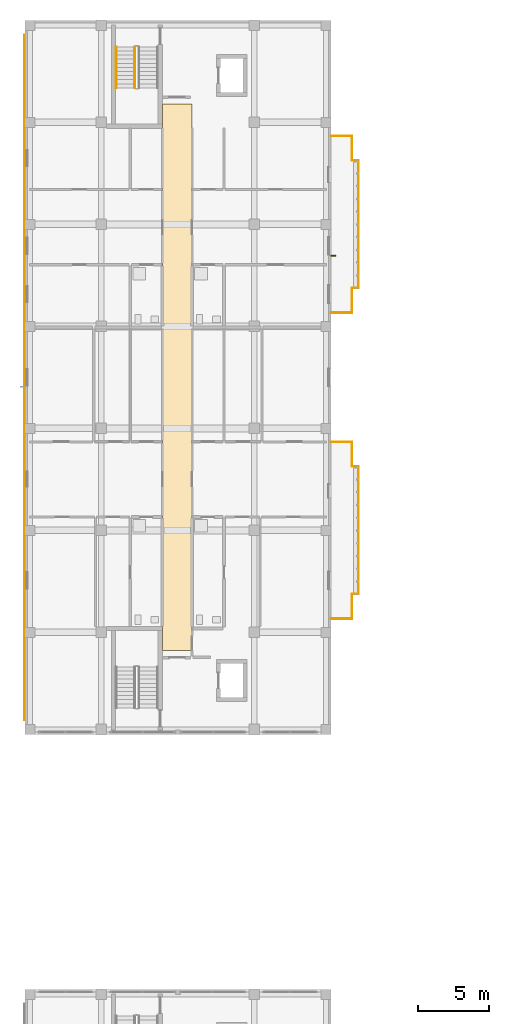
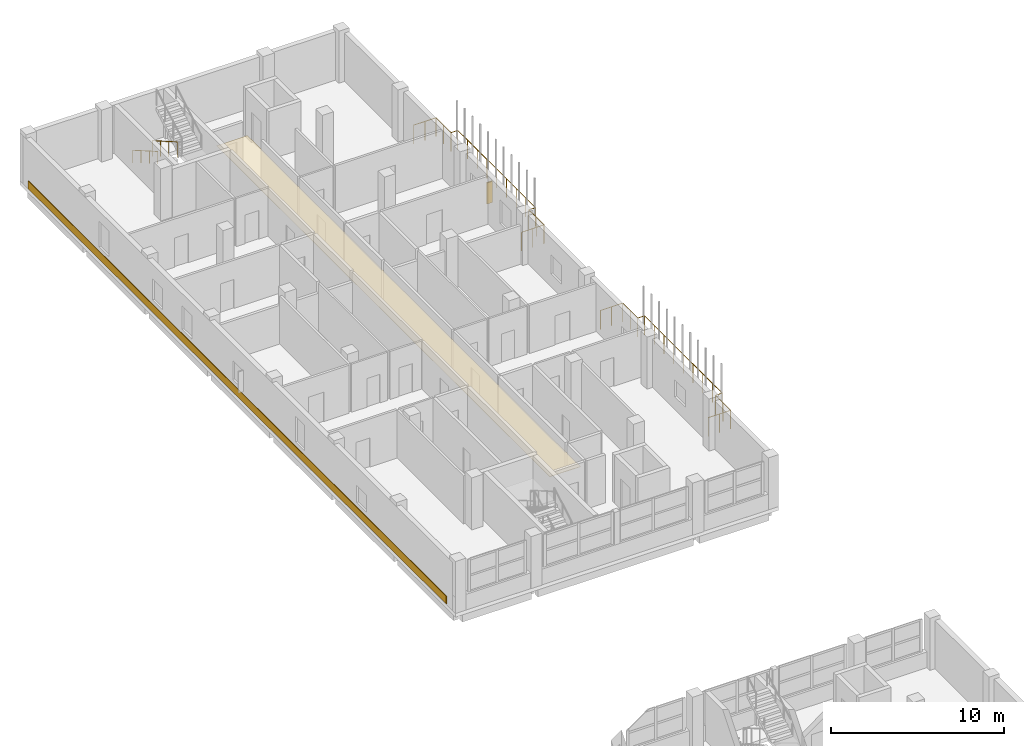
# One storey, part 64 of 73: 4 railings, 2 coverings, 1 shading device.
"""IFC4 building model written with IfcOpenShell, lengths in metres."""

import ifcopenshell
import ifcopenshell.guid

model = None  # the IFC model being written
_history = None  # IfcOwnerHistory: only IFC2X3 demands one
_inside = {}  # id of a spatial element -> (the spatial element, [elements in it])
_under = {}  # id of a project, library or spatial element -> (it, [spatial elements below it])
_declared = {}  # id of a project -> (the project, [libraries it declares])
_typed = {}  # id of a type object -> (the type object, [elements of that type])
_made_of = {}  # id of a material, layer set ... -> (it, [elements and type objects made of it])


def new_model(schema):
    """Start an empty IFC model of exactly this schema.

    Asked for "IFC4X3", IfcOpenShell would pick the latest addendum, in which some entities
    have other attributes; the version numbers below select the first issue.
    IFC2X3 requires an IfcOwnerHistory on every rooted entity: one is made here for all.
    """
    global model, _history
    if schema == "IFC4X3":
        model = ifcopenshell.file(schema_version=(4, 3, 0, 0))
    else:
        model = ifcopenshell.file(schema=schema)
    _inside.clear()
    _under.clear()
    _declared.clear()
    _typed.clear()
    _made_of.clear()
    _history = None
    if model.schema == "IFC2X3":
        org = make("IfcOrganization", Name="unknown")
        user = make(
            "IfcPersonAndOrganization",
            ThePerson=make("IfcPerson", FamilyName="unknown"),
            TheOrganization=org,
        )
        app = make(
            "IfcApplication",
            ApplicationDeveloper=org,
            Version="unknown",
            ApplicationFullName="unknown",
            ApplicationIdentifier="unknown",
        )
        _history = make(
            "IfcOwnerHistory",
            OwningUser=user,
            OwningApplication=app,
            ChangeAction="ADDED",
            CreationDate=0,
        )
    return model


def make(cls, **values):
    """One entity of the class cls with the attributes given. An attribute that is None is left unset."""
    return model.create_entity(
        cls, **{name: value for name, value in values.items() if value is not None}
    )


def rooted(cls, **values):
    """An entity with a GlobalId (a new one), such as an element, a storey or a relation."""
    return make(cls, GlobalId=ifcopenshell.guid.new(), OwnerHistory=_history, **values)


def si_unit(unit_type, name, prefix=None):
    """IfcSIUnit, for example si_unit("LENGTHUNIT", "METRE", prefix="MILLI")."""
    return make("IfcSIUnit", UnitType=unit_type, Prefix=prefix, Name=name)


def derived_unit(unit_type, elements):
    """IfcDerivedUnit: a product of units, each with its exponent."""
    return make(
        "IfcDerivedUnit",
        Elements=[
            make("IfcDerivedUnitElement", Unit=unit, Exponent=power)
            for unit, power in elements
        ],
        UnitType=unit_type,
    )


def assignment(units):
    """IfcUnitAssignment: the units of a project."""
    return None if units is None else make("IfcUnitAssignment", Units=units)


def point(xyz):
    """IfcCartesianPoint."""
    return None if xyz is None else make("IfcCartesianPoint", Coordinates=xyz)


def direction(xyz):
    """IfcDirection."""
    return None if xyz is None else make("IfcDirection", DirectionRatios=xyz)


def frame(location, z_axis=None, x_axis=None):
    """IfcAxis2Placement3D, a coordinate frame: its origin and axes. An axis left out is left unset."""
    return make(
        "IfcAxis2Placement3D",
        Location=point(location),
        Axis=direction(z_axis),
        RefDirection=direction(x_axis),
    )


def frame_2d(location, x_axis=None):
    """IfcAxis2Placement2D, a coordinate frame in the plane: its origin and x axis."""
    return make(
        "IfcAxis2Placement2D", Location=point(location), RefDirection=direction(x_axis)
    )


def origin():
    """The frame at (0, 0, 0) with its axes left unset."""
    return frame((0.0, 0.0, 0.0))


def origin_2d():
    """The frame at (0, 0) in the plane with its x axis left unset."""
    return frame_2d((0.0, 0.0))


def place(relative_to, where):
    """IfcLocalPlacement: puts the frame where relative to a parent placement (None: the world)."""
    return make(
        "IfcLocalPlacement", PlacementRelTo=relative_to, RelativePlacement=where
    )


def context(
    kind, dimensions, precision=None, world=None, true_north=None, identifier=None
):
    """IfcGeometricRepresentationContext, for example the 3D "Model" context."""
    return make(
        "IfcGeometricRepresentationContext",
        ContextIdentifier=identifier,
        ContextType=kind,
        CoordinateSpaceDimension=dimensions,
        Precision=precision,
        WorldCoordinateSystem=world,
        TrueNorth=true_north,
    )


def subcontext(parent, identifier, kind, view, scale=None):
    """IfcGeometricRepresentationSubContext, for example "Body" below "Model"."""
    return make(
        "IfcGeometricRepresentationSubContext",
        ContextIdentifier=identifier,
        ContextType=kind,
        ParentContext=parent,
        TargetScale=scale,
        TargetView=view,
    )


def project(units=None, contexts=None):
    """IfcProject with its units and contexts."""
    return rooted(
        "IfcProject",
        Name="project",
        RepresentationContexts=contexts,
        UnitsInContext=assignment(units),
    )


def spatial(cls, under=None, at=None, **own):
    """A site, building, storey or space (cls), placed at a placement, below another one or the project."""
    s = rooted(cls, ObjectPlacement=at, **own)
    if under is not None:
        _under.setdefault(under.id(), (under, []))[1].append(s)
    return s


def polyline(points):
    """IfcPolyline through the points."""
    return make("IfcPolyline", Points=[point(p) for p in points])


def profile(cls, at=None, kind="AREA", **sizes):
    """A parametric profile (cls). Its sizes go by their IFC names, for example OverallWidth=200.0."""
    return make(cls, ProfileType=kind, Position=at, **sizes)


def rectangle(**sizes):
    """IfcRectangleProfileDef."""
    return profile("IfcRectangleProfileDef", **sizes)


def circle(**sizes):
    """IfcCircleProfileDef."""
    return profile("IfcCircleProfileDef", **sizes)


def outline(outer, holes=None, kind="AREA"):
    """IfcArbitraryClosedProfileDef: a profile drawn as a closed curve; with holes, ...WithVoids."""
    if holes is None:
        return make("IfcArbitraryClosedProfileDef", ProfileType=kind, OuterCurve=outer)
    return make(
        "IfcArbitraryProfileDefWithVoids",
        ProfileType=kind,
        OuterCurve=outer,
        InnerCurves=holes,
    )


def extrude(swept, where, along, depth):
    """IfcExtrudedAreaSolid: the profile swept, set in the frame where, extruded along a direction by depth."""
    return make(
        "IfcExtrudedAreaSolid",
        SweptArea=swept,
        Position=where,
        ExtrudedDirection=direction(along),
        Depth=depth,
    )


def shape(context_of_items, identifier, shape_type, items):
    """IfcShapeRepresentation: the items that make up one representation, for example the "Body"."""
    return make(
        "IfcShapeRepresentation",
        ContextOfItems=context_of_items,
        RepresentationIdentifier=identifier,
        RepresentationType=shape_type,
        Items=items,
    )


def material(Name=None, Category=None):
    """IfcMaterial."""
    return make("IfcMaterial", Name=Name, Category=Category)


def layer(
    of_material, thickness, ventilated=None, Name=None, Category=None, Priority=None
):
    """IfcMaterialLayer: one layer of a wall or slab, of a material (None: an air gap)."""
    return make(
        "IfcMaterialLayer",
        Material=of_material,
        LayerThickness=thickness,
        IsVentilated=ventilated,
        Name=Name,
        Category=Category,
        Priority=Priority,
    )


def layer_set(layers, Name=None):
    """IfcMaterialLayerSet."""
    return make("IfcMaterialLayerSet", MaterialLayers=layers, LayerSetName=Name)


def made_of(thing, what):
    """Note that an element or type object is made of a material, layer set ...; save() writes the relation."""
    if what is not None:
        _made_of.setdefault(what.id(), (what, []))[1].append(thing)
    return thing


def type_object(cls, material=None, **own):
    """A type object (cls), such as IfcWallType, which elements share."""
    return made_of(rooted(cls, **own), material)


def element(
    cls,
    number,
    at=None,
    inside=None,
    cuts=None,
    type_object=None,
    material=None,
    context=None,
    identifier="Body",
    shape_type=None,
    held_by="IfcProductDefinitionShape",
    body=None,
    shapes=None,
    **own,
):
    """One element of the class cls, such as IfcWall. Its Tag is "e" and its number.

    at: its placement. inside: the storey or other place that contains it. cuts: it is an
    opening in that element (IfcRelVoidsElement). A single representation is given by context,
    identifier, shape_type and body (its items); several are given by shapes. held_by: the class
    of the entity that holds the representations. save() writes the other relations.
    """
    e = rooted(cls, Tag="e%d" % number, ObjectPlacement=at, **own)
    if body is not None:
        shapes = [shape(context, identifier, shape_type, body)]
    if shapes is not None:
        e.Representation = make(held_by, Representations=shapes)
    if inside is not None:
        _inside.setdefault(inside.id(), (inside, []))[1].append(e)
    if cuts is not None:
        rooted(
            "IfcRelVoidsElement", RelatingBuildingElement=cuts, RelatedOpeningElement=e
        )
    if type_object is not None:
        _typed.setdefault(type_object.id(), (type_object, []))[1].append(e)
    return made_of(e, material)


def aggregate(whole, parts):
    """IfcRelAggregates: a whole, such as a stair, and the parts it consists of."""
    return rooted("IfcRelAggregates", RelatingObject=whole, RelatedObjects=parts)


def save(model, path):
    """Write the relations noted so far, then the file.

    IfcRelAggregates (storeys below a building ...), IfcRelContainedInSpatialStructure (elements
    in a storey), IfcRelDefinesByType, IfcRelAssociatesMaterial and IfcRelDeclares: one each for
    every whole, place, type object, material and project.
    """
    for whole, parts in _under.values():
        aggregate(whole, parts)
    for where, things in _inside.values():
        rooted(
            "IfcRelContainedInSpatialStructure",
            RelatedElements=things,
            RelatingStructure=where,
        )
    for kind, things in _typed.values():
        rooted("IfcRelDefinesByType", RelatedObjects=things, RelatingType=kind)
    for what, things in _made_of.values():
        rooted("IfcRelAssociatesMaterial", RelatedObjects=things, RelatingMaterial=what)
    for by, libraries in _declared.values():
        rooted("IfcRelDeclares", RelatingContext=by, RelatedDefinitions=libraries)
    model.write(path)


model = new_model("IFC4")

# Units and contexts
model_context = context("Model", 3, precision=1e-05, world=origin(), true_north=direction((0.0, 1.0)))
body_context = subcontext(model_context, "Body", "Model", "MODEL_VIEW")
ifc_project = project(units=[si_unit("LENGTHUNIT", "METRE"), si_unit("AREAUNIT", "SQUARE_METRE"), si_unit("VOLUMEUNIT", "CUBIC_METRE"), si_unit("PLANEANGLEUNIT", "RADIAN"), si_unit("MASSUNIT", "GRAM", prefix="KILO"), derived_unit("THERMALTRANSMITTANCEUNIT", [(si_unit("MASSUNIT", "GRAM", prefix="KILO"), 1), (si_unit("TIMEUNIT", "SECOND"), -3), (si_unit("THERMODYNAMICTEMPERATUREUNIT", "KELVIN"), -1)])], contexts=[model_context])

# Site, building, storey
site_placement = place(None, origin())
site = spatial("IfcSite", under=ifc_project, at=site_placement, CompositionType="ELEMENT")
building_placement = place(site_placement, origin())
building = spatial("IfcBuilding", under=site, at=building_placement, Name="Ochrekiln Boulevard Commons", CompositionType="ELEMENT")
storey_placement = place(building_placement, frame((0.0, 0.0, 4.89990234375)))
storey = spatial("IfcBuildingStorey", under=building, at=storey_placement, Name="L01", CompositionType="ELEMENT", Elevation=4.89990234375)

# Coverings
ifc_material_1 = material(Name="Mineral-fibre acoustic ceiling tile")
ifc_layer_1 = layer(ifc_material_1, 0.02490234375)
ifc_layer_set_1 = layer_set([ifc_layer_1], Name="Mineral-fibre acoustic ceiling tile")
covering_type_1 = type_object("IfcCoveringType", Name="COV-CEIL-AC", PredefinedType="CEILING", material=ifc_layer_set_1)
covering_1_placement = place(storey_placement, frame((0.0, 0.0, 2.650146484375)))
element("IfcCovering", 1, at=covering_1_placement, inside=storey, type_object=covering_type_1, Name="L01 Acoustic Corridor Ceiling 17", PredefinedType="CEILING", context=body_context, shape_type="SweptSolid", body=[
    extrude(outline(polyline([(9.719970703125, 74.320068359375), (11.780029296875, 74.320068359375), (11.780029296875, 112.8798828125), (9.719970703125, 112.8798828125), (9.719970703125, 74.320068359375)])), origin(), (0.0, 0.0, 1.0), 0.02490234375),
])
ifc_material_2 = material(Name="Glazed architectural terracotta ASTM C1405", Category="masonry")
ifc_layer_2 = layer(ifc_material_2, 0.0400390625)
ifc_layer_set_2 = layer_set([ifc_layer_2], Name="Glazed architectural terracotta ASTM C1405")
covering_type_2 = type_object("IfcCoveringType", Name="COV-CLAD-TERRA", PredefinedType="CLADDING", material=ifc_layer_set_2)
covering_2_placement = place(storey_placement, frame((-0.02001953125, 93.60009765625, 0.0751953125), z_axis=(0.0, 0.0, 1.0), x_axis=(1.0, 0.0, 0.0)))
element("IfcCovering", 2, at=covering_2_placement, inside=storey, type_object=covering_type_2, Name="Block A L01 Glazed Terracotta Spandrel Band", PredefinedType="CLADDING", context=body_context, shape_type="SweptSolid", body=[
    extrude(rectangle(XDim=0.0400390625, YDim=48.39990234375, at=origin_2d()), origin(), (0.0, 0.0, 1.0), 0.550048828125),
])

# Railings
ifc_material_3 = material(Name="Bronze-anodized extruded aluminium 6063-T6", Category="aluminium")
railing_type_1 = type_object("IfcRailingType", Name="RLG-BAL-1350", PredefinedType="BALUSTRADE", material=ifc_material_3)
railing_1_placement = place(storey_placement, frame((21.60009765625, 76.56005859375, 0.0)))
element("IfcRailing", 3, at=railing_1_placement, inside=storey, type_object=railing_type_1, Name="Block A L01 Balcony Guard Balustrade 1", PredefinedType="BALUSTRADE", context=body_context, shape_type="SweptSolid", body=[
    extrude(circle(Radius=0.02392578125, at=origin_2d()), frame((0.0, 0.0, 1.326171875), z_axis=(1.0, 0.0, 0.0), x_axis=(0.0, 1.0, 0.0)), (0.0, 0.0, 1.0), 1.489990234375),
    extrude(circle(Radius=0.02392578125, at=origin_2d()), frame((1.489990234375, 0.0, 1.326171875), z_axis=(0.0, 1.0, 0.0), x_axis=(-1.0, 0.0, 0.0)), (0.0, 0.0, 1.0), 1.739990234375),
    extrude(circle(Radius=0.02392578125, at=origin_2d()), frame((1.489990234375, 1.739990234375, 1.326171875), z_axis=(1.0, 0.0, 0.0), x_axis=(0.0, 1.0, 0.0)), (0.0, 0.0, 1.0), 0.449951171875),
    extrude(circle(Radius=0.02392578125, at=origin_2d()), frame((1.93994140625, 1.739990234375, 1.326171875), z_axis=(0.0, 1.0, 0.0), x_axis=(-1.0, 0.0, 0.0)), (0.0, 0.0, 1.0), 9.0),
    extrude(circle(Radius=0.02392578125, at=origin_2d()), frame((1.93994140625, 10.739990234375, 1.326171875), z_axis=(-1.0, 0.0, 0.0), x_axis=(0.0, -1.0, 0.0)), (0.0, 0.0, 1.0), 0.449951171875),
    extrude(circle(Radius=0.02392578125, at=origin_2d()), frame((1.489990234375, 10.739990234375, 1.326171875), z_axis=(0.0, 1.0, 0.0), x_axis=(-1.0, 0.0, 0.0)), (0.0, 0.0, 1.0), 1.739990234375),
    extrude(circle(Radius=0.02392578125, at=origin_2d()), frame((1.489990234375, 12.47998046875, 1.326171875), z_axis=(-1.0, 0.0, 0.0), x_axis=(0.0, -1.0, 0.0)), (0.0, 0.0, 1.0), 1.489990234375),
    extrude(circle(Radius=0.02099609375, at=origin_2d()), origin(), (0.0, 0.0, 1.0), 1.302001953125),
    extrude(circle(Radius=0.02099609375, at=origin_2d()), frame((0.7451171875, 0.0, 0.0)), (0.0, 0.0, 1.0), 1.302001953125),
    extrude(circle(Radius=0.02099609375, at=origin_2d()), frame((1.489990234375, 0.0, 0.0)), (0.0, 0.0, 1.0), 1.302001953125),
    extrude(circle(Radius=0.02099609375, at=origin_2d()), frame((1.489990234375, 0.8701171875, 0.0)), (0.0, 0.0, 1.0), 1.302001953125),
    extrude(circle(Radius=0.02099609375, at=origin_2d()), frame((1.489990234375, 1.739990234375, 0.0)), (0.0, 0.0, 1.0), 1.302001953125),
    extrude(circle(Radius=0.02099609375, at=origin_2d()), frame((1.93994140625, 1.739990234375, 0.0)), (0.0, 0.0, 1.0), 1.302001953125),
    extrude(circle(Radius=0.02099609375, at=origin_2d()), frame((1.93994140625, 2.864990234375, 0.0)), (0.0, 0.0, 1.0), 1.302001953125),
    extrude(circle(Radius=0.02099609375, at=origin_2d()), frame((1.93994140625, 3.989990234375, 0.0)), (0.0, 0.0, 1.0), 1.302001953125),
    extrude(circle(Radius=0.02099609375, at=origin_2d()), frame((1.93994140625, 5.114990234375, 0.0)), (0.0, 0.0, 1.0), 1.302001953125),
    extrude(circle(Radius=0.02099609375, at=origin_2d()), frame((1.93994140625, 6.239990234375, 0.0)), (0.0, 0.0, 1.0), 1.302001953125),
    extrude(circle(Radius=0.02099609375, at=origin_2d()), frame((1.93994140625, 7.364990234375, 0.0)), (0.0, 0.0, 1.0), 1.302001953125),
    extrude(circle(Radius=0.02099609375, at=origin_2d()), frame((1.93994140625, 8.489990234375, 0.0)), (0.0, 0.0, 1.0), 1.302001953125),
    extrude(circle(Radius=0.02099609375, at=origin_2d()), frame((1.93994140625, 9.614990234375, 0.0)), (0.0, 0.0, 1.0), 1.302001953125),
    extrude(circle(Radius=0.02099609375, at=origin_2d()), frame((1.93994140625, 10.739990234375, 0.0)), (0.0, 0.0, 1.0), 1.302001953125),
    extrude(circle(Radius=0.02099609375, at=origin_2d()), frame((1.489990234375, 10.739990234375, 0.0)), (0.0, 0.0, 1.0), 1.302001953125),
    extrude(circle(Radius=0.02099609375, at=origin_2d()), frame((1.489990234375, 11.60986328125, 0.0)), (0.0, 0.0, 1.0), 1.302001953125),
    extrude(circle(Radius=0.02099609375, at=origin_2d()), frame((1.489990234375, 12.47998046875, 0.0)), (0.0, 0.0, 1.0), 1.302001953125),
    extrude(circle(Radius=0.02099609375, at=origin_2d()), frame((0.7451171875, 12.47998046875, 0.0)), (0.0, 0.0, 1.0), 1.302001953125),
    extrude(circle(Radius=0.02099609375, at=origin_2d()), frame((0.0, 12.47998046875, 0.0)), (0.0, 0.0, 1.0), 1.302001953125),
])
railing_2_placement = place(storey_placement, frame((21.60009765625, 98.159912109375, 0.0)))
element("IfcRailing", 4, at=railing_2_placement, inside=storey, type_object=railing_type_1, Name="Block A L01 Balcony Guard Balustrade 2", PredefinedType="BALUSTRADE", context=body_context, shape_type="SweptSolid", body=[
    extrude(circle(Radius=0.02392578125, at=origin_2d()), frame((0.0, 0.0, 1.326171875), z_axis=(1.0, 0.0, 0.0), x_axis=(0.0, 1.0, 0.0)), (0.0, 0.0, 1.0), 1.489990234375),
    extrude(circle(Radius=0.02392578125, at=origin_2d()), frame((1.489990234375, 0.0, 1.326171875), z_axis=(0.0, 1.0, 0.0), x_axis=(-1.0, 0.0, 0.0)), (0.0, 0.0, 1.0), 1.739990234375),
    extrude(circle(Radius=0.02392578125, at=origin_2d()), frame((1.489990234375, 1.739990234375, 1.326171875), z_axis=(1.0, 0.0, 0.0), x_axis=(0.0, 1.0, 0.0)), (0.0, 0.0, 1.0), 0.449951171875),
    extrude(circle(Radius=0.02392578125, at=origin_2d()), frame((1.93994140625, 1.739990234375, 1.326171875), z_axis=(0.0, 1.0, 0.0), x_axis=(-1.0, 0.0, 0.0)), (0.0, 0.0, 1.0), 9.0),
    extrude(circle(Radius=0.02392578125, at=origin_2d()), frame((1.93994140625, 10.739990234375, 1.326171875), z_axis=(-1.0, 0.0, 0.0), x_axis=(0.0, -1.0, 0.0)), (0.0, 0.0, 1.0), 0.449951171875),
    extrude(circle(Radius=0.02392578125, at=origin_2d()), frame((1.489990234375, 10.739990234375, 1.326171875), z_axis=(0.0, 1.0, 0.0), x_axis=(-1.0, 0.0, 0.0)), (0.0, 0.0, 1.0), 1.739990234375),
    extrude(circle(Radius=0.02392578125, at=origin_2d()), frame((1.489990234375, 12.47998046875, 1.326171875), z_axis=(-1.0, 0.0, 0.0), x_axis=(0.0, -1.0, 0.0)), (0.0, 0.0, 1.0), 1.489990234375),
    extrude(circle(Radius=0.02099609375, at=origin_2d()), origin(), (0.0, 0.0, 1.0), 1.302001953125),
    extrude(circle(Radius=0.02099609375, at=origin_2d()), frame((0.7451171875, 0.0, 0.0)), (0.0, 0.0, 1.0), 1.302001953125),
    extrude(circle(Radius=0.02099609375, at=origin_2d()), frame((1.489990234375, 0.0, 0.0)), (0.0, 0.0, 1.0), 1.302001953125),
    extrude(circle(Radius=0.02099609375, at=origin_2d()), frame((1.489990234375, 0.8701171875, 0.0)), (0.0, 0.0, 1.0), 1.302001953125),
    extrude(circle(Radius=0.02099609375, at=origin_2d()), frame((1.489990234375, 1.739990234375, 0.0)), (0.0, 0.0, 1.0), 1.302001953125),
    extrude(circle(Radius=0.02099609375, at=origin_2d()), frame((1.93994140625, 1.739990234375, 0.0)), (0.0, 0.0, 1.0), 1.302001953125),
    extrude(circle(Radius=0.02099609375, at=origin_2d()), frame((1.93994140625, 2.864990234375, 0.0)), (0.0, 0.0, 1.0), 1.302001953125),
    extrude(circle(Radius=0.02099609375, at=origin_2d()), frame((1.93994140625, 3.989990234375, 0.0)), (0.0, 0.0, 1.0), 1.302001953125),
    extrude(circle(Radius=0.02099609375, at=origin_2d()), frame((1.93994140625, 5.114990234375, 0.0)), (0.0, 0.0, 1.0), 1.302001953125),
    extrude(circle(Radius=0.02099609375, at=origin_2d()), frame((1.93994140625, 6.239990234375, 0.0)), (0.0, 0.0, 1.0), 1.302001953125),
    extrude(circle(Radius=0.02099609375, at=origin_2d()), frame((1.93994140625, 7.364990234375, 0.0)), (0.0, 0.0, 1.0), 1.302001953125),
    extrude(circle(Radius=0.02099609375, at=origin_2d()), frame((1.93994140625, 8.489990234375, 0.0)), (0.0, 0.0, 1.0), 1.302001953125),
    extrude(circle(Radius=0.02099609375, at=origin_2d()), frame((1.93994140625, 9.614990234375, 0.0)), (0.0, 0.0, 1.0), 1.302001953125),
    extrude(circle(Radius=0.02099609375, at=origin_2d()), frame((1.93994140625, 10.739990234375, 0.0)), (0.0, 0.0, 1.0), 1.302001953125),
    extrude(circle(Radius=0.02099609375, at=origin_2d()), frame((1.489990234375, 10.739990234375, 0.0)), (0.0, 0.0, 1.0), 1.302001953125),
    extrude(circle(Radius=0.02099609375, at=origin_2d()), frame((1.489990234375, 11.60986328125, 0.0)), (0.0, 0.0, 1.0), 1.302001953125),
    extrude(circle(Radius=0.02099609375, at=origin_2d()), frame((1.489990234375, 12.47998046875, 0.0)), (0.0, 0.0, 1.0), 1.302001953125),
    extrude(circle(Radius=0.02099609375, at=origin_2d()), frame((0.7451171875, 12.47998046875, 0.0)), (0.0, 0.0, 1.0), 1.302001953125),
    extrude(circle(Radius=0.02099609375, at=origin_2d()), frame((0.0, 12.47998046875, 0.0)), (0.0, 0.0, 1.0), 1.302001953125),
])
ifc_material_4 = material(Name="Brushed stainless steel 316 tubular railing", Category="steel")
railing_type_2 = type_object("IfcRailingType", Name="RLG-HDR-900", PredefinedType="HANDRAIL", material=ifc_material_4)
railing_3_placement = place(storey_placement, frame((6.449951171875, 116.929931640625, 0.167236328125)))
element("IfcRailing", 5, at=railing_3_placement, inside=storey, type_object=railing_type_2, Name="L01 ST-A2 stair handrail 1", PredefinedType="HANDRAIL", context=body_context, shape_type="SweptSolid", body=[
    extrude(circle(Radius=0.02392578125, at=origin_2d()), frame((0.0, 0.0, 0.8759765625), z_axis=(0.0, -0.866523023801, 0.499137104634), x_axis=(1.0, 0.0, 0.0)), (0.0, 0.0, 1.0), 3.3466796875),
    extrude(circle(Radius=0.02099609375, at=origin_2d()), origin(), (0.0, 0.0, 1.0), 0.851806640625),
    extrude(circle(Radius=0.02099609375, at=origin_2d()), frame((0.0, -0.966552734375, 0.556884765625)), (0.0, 0.0, 1.0), 0.851806640625),
    extrude(circle(Radius=0.02099609375, at=origin_2d()), frame((0.0, -1.933349609375, 1.113525390625)), (0.0, 0.0, 1.0), 0.851806640625),
    extrude(circle(Radius=0.02099609375, at=origin_2d()), frame((0.0, -2.89990234375, 1.67041015625)), (0.0, 0.0, 1.0), 0.851806640625),
])
railing_type_3 = type_object("IfcRailingType", Name="RLG-STR-1120", PredefinedType="BALUSTRADE", material=ifc_material_4)
railing_4_placement = place(storey_placement, frame((7.75, 116.929931640625, 0.167236328125)))
element("IfcRailing", 6, at=railing_4_placement, inside=storey, type_object=railing_type_3, Name="L01 ST-A2 stair guard 1", PredefinedType="BALUSTRADE", context=body_context, shape_type="SweptSolid", body=[
    extrude(circle(Radius=0.02392578125, at=origin_2d()), frame((0.0, 0.0, 1.09619140625), z_axis=(0.0, -0.866523023801, 0.499137104634), x_axis=(1.0, 0.0, 0.0)), (0.0, 0.0, 1.0), 3.3466796875),
    extrude(circle(Radius=0.02099609375, at=origin_2d()), origin(), (0.0, 0.0, 1.0), 1.072021484375),
    extrude(circle(Radius=0.02099609375, at=origin_2d()), frame((0.0, -0.966552734375, 0.556884765625)), (0.0, 0.0, 1.0), 1.072021484375),
    extrude(circle(Radius=0.02099609375, at=origin_2d()), frame((0.0, -1.933349609375, 1.113525390625)), (0.0, 0.0, 1.0), 1.072021484375),
    extrude(circle(Radius=0.02099609375, at=origin_2d()), frame((0.0, -2.89990234375, 1.67041015625)), (0.0, 0.0, 1.0), 1.072021484375),
])

# Shading device
shading_device_type = type_object("IfcShadingDeviceType", Name="SHD-FIN-TERRA", PredefinedType="JALOUSIE", material=ifc_material_2)
shading_device_placement = place(storey_placement, frame((21.77001953125, 102.174072265625, 0.900146484375), z_axis=(0.0, 0.0, 1.0), x_axis=(1.0, 0.0, 0.0)))
element("IfcShadingDevice", 7, at=shading_device_placement, inside=storey, type_object=shading_device_type, Name="Terracotta Solar Shading Fin SF-01 (3)", PredefinedType="JALOUSIE", context=body_context, shape_type="SweptSolid", body=[
    extrude(rectangle(XDim=0.35009765625, YDim=0.080078125, at=origin_2d()), origin(), (0.0, 0.0, 1.0), 1.5),
])

save(model, "model.ifc")
